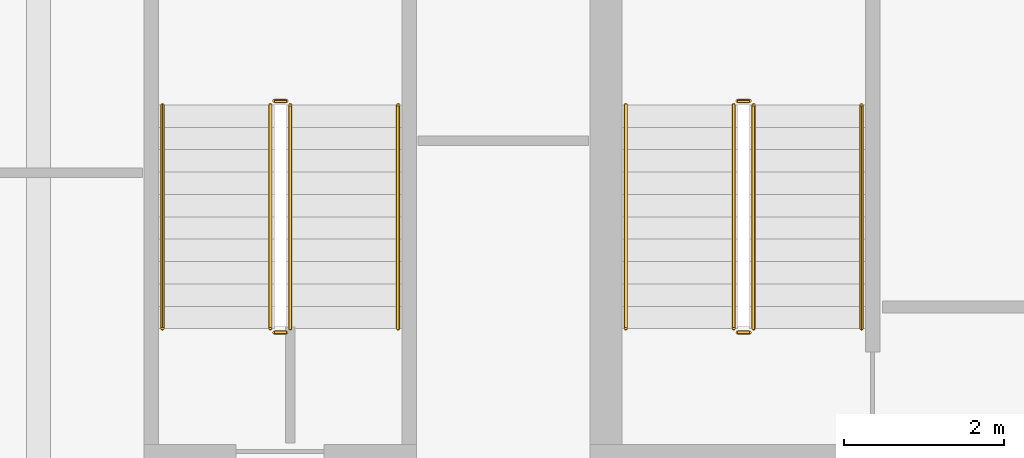
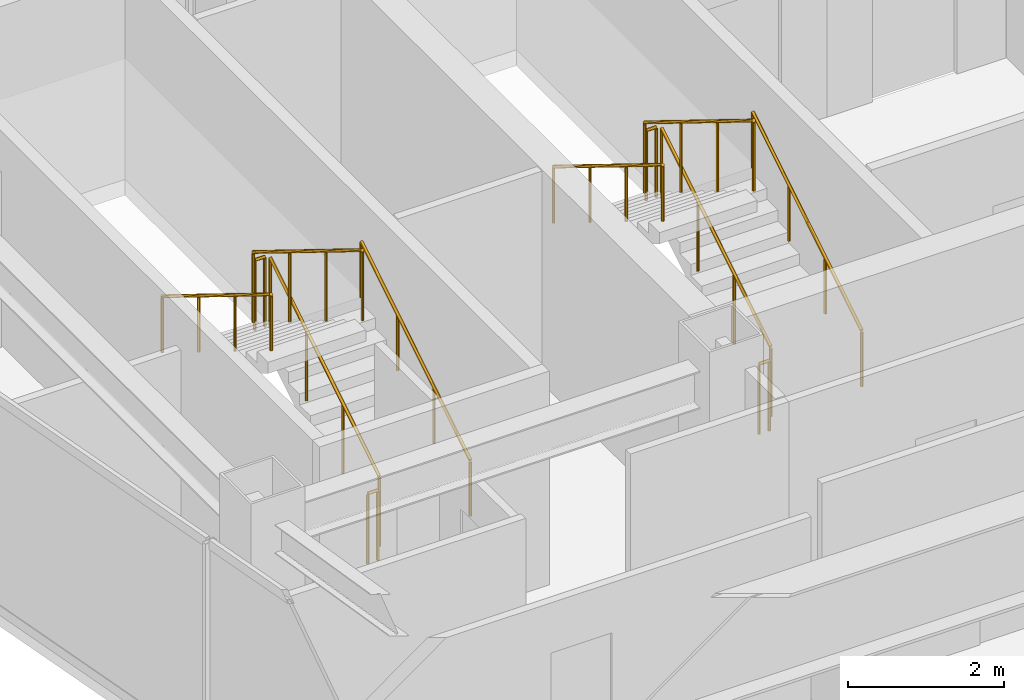
# One storey, part 33 of 35: 12 railings.
"""IFC4 building model written with IfcOpenShell, lengths in metres."""

from ifc_helpers import new_model, si_unit, direction, frame, origin, origin_2d, place, context, subcontext, project, spatial, circle, extrude, material, type_object, element, save


model = new_model("IFC4")

# Units and contexts
model_context = context("Model", 3, precision=1e-05, world=origin(), true_north=direction((0.0, 1.0)))
body_context = subcontext(model_context, "Body", "Model", "MODEL_VIEW")
ifc_project = project(units=[si_unit("LENGTHUNIT", "METRE"), si_unit("AREAUNIT", "SQUARE_METRE"), si_unit("VOLUMEUNIT", "CUBIC_METRE"), si_unit("PLANEANGLEUNIT", "RADIAN"), si_unit("MASSUNIT", "GRAM", prefix="KILO")], contexts=[model_context])

# Site, building, storey
site_placement = place(None, origin())
site = spatial("IfcSite", under=ifc_project, at=site_placement, CompositionType="ELEMENT")
building_placement = place(site_placement, origin())
building = spatial("IfcBuilding", under=site, at=building_placement, Name="Saevonmaru Cultural Tower", CompositionType="ELEMENT")
storey_placement = place(building_placement, frame((0.0, 0.0, 249.60009765625)))
storey = spatial("IfcBuildingStorey", under=building, at=storey_placement, Name="L58", CompositionType="ELEMENT", Elevation=249.60009765625)

# Railings
ifc_material_1 = material(Name="Architectural Painted Steel", Category="steel")
railing_type_1 = type_object("IfcRailingType", Name="RL-STAIR-GUARD", PredefinedType="GUARDRAIL", material=ifc_material_1)
railing_1_placement = place(storey_placement, frame((15.75, 44.85009765625, 0.172607421875)))
element("IfcRailing", 1, at=railing_1_placement, inside=storey, type_object=railing_type_1, Name="L58 ST-1 stair guard 1", PredefinedType="GUARDRAIL", context=body_context, shape_type="SweptSolid", body=[
    extrude(circle(Radius=0.02392578125, at=origin_2d()), frame((0.0, 0.0, 1.09619140625), z_axis=(0.0, 0.851069175582, 0.525053576669), x_axis=(-1.0, 0.0, 0.0)), (0.0, 0.0, 1.0), 3.289794921875),
    extrude(circle(Radius=0.02099609375, at=origin_2d()), origin(), (0.0, 0.0, 1.0), 1.072021484375),
    extrude(circle(Radius=0.02099609375, at=origin_2d()), frame((0.0, 0.933349609375, 0.57568359375)), (0.0, 0.0, 1.0), 1.072021484375),
    extrude(circle(Radius=0.02099609375, at=origin_2d()), frame((0.0, 1.866455078125, 1.151611328125)), (0.0, 0.0, 1.0), 1.072021484375),
    extrude(circle(Radius=0.02099609375, at=origin_2d()), frame((0.0, 2.7998046875, 1.727294921875)), (0.0, 0.0, 1.0), 1.072021484375),
])
railing_2_placement = place(storey_placement, frame((15.699951171875, 47.699951171875, 1.89990234375)))
element("IfcRailing", 2, at=railing_2_placement, inside=storey, type_object=railing_type_1, Name="L58 ST-1 stair guard 2", PredefinedType="GUARDRAIL", context=body_context, shape_type="SweptSolid", body=[
    extrude(circle(Radius=0.02392578125, at=origin_2d()), frame((0.0, 0.0, 1.09619140625), z_axis=(-1.0, 0.0, 0.0), x_axis=(0.0, -1.0, 0.0)), (0.0, 0.0, 1.0), 0.14990234375),
    extrude(circle(Radius=0.02099609375, at=origin_2d()), origin(), (0.0, 0.0, 1.0), 1.072021484375),
    extrude(circle(Radius=0.02099609375, at=origin_2d()), frame((-0.14990234375, 0.0, 0.0)), (0.0, 0.0, 1.0), 1.072021484375),
])
railing_3_placement = place(storey_placement, frame((15.5, 47.64990234375, 2.072509765625)))
element("IfcRailing", 3, at=railing_3_placement, inside=storey, type_object=railing_type_1, Name="L58 ST-1 stair guard 3", PredefinedType="GUARDRAIL", context=body_context, shape_type="SweptSolid", body=[
    extrude(circle(Radius=0.02392578125, at=origin_2d()), frame((0.0, 0.0, 1.09619140625), z_axis=(0.0, -0.851069175582, 0.525053576669), x_axis=(1.0, 0.0, 0.0)), (0.0, 0.0, 1.0), 3.289794921875),
    extrude(circle(Radius=0.02099609375, at=origin_2d()), origin(), (0.0, 0.0, 1.0), 1.072021484375),
    extrude(circle(Radius=0.02099609375, at=origin_2d()), frame((0.0, -0.933349609375, 0.57568359375)), (0.0, 0.0, 1.0), 1.072021484375),
    extrude(circle(Radius=0.02099609375, at=origin_2d()), frame((0.0, -1.866455078125, 1.151611328125)), (0.0, 0.0, 1.0), 1.072021484375),
    extrude(circle(Radius=0.02099609375, at=origin_2d()), frame((0.0, -2.7998046875, 1.727294921875)), (0.0, 0.0, 1.0), 1.072021484375),
])
railing_4_placement = place(storey_placement, frame((15.699951171875, 44.800048828125, 0.0)))
element("IfcRailing", 4, at=railing_4_placement, inside=storey, type_object=railing_type_1, Name="L58 ST-1 stair guard 4", PredefinedType="GUARDRAIL", context=body_context, shape_type="SweptSolid", body=[
    extrude(circle(Radius=0.02392578125, at=origin_2d()), frame((0.0, 0.0, 1.09619140625), z_axis=(-1.0, 0.0, 0.0), x_axis=(0.0, -1.0, 0.0)), (0.0, 0.0, 1.0), 0.14990234375),
    extrude(circle(Radius=0.02099609375, at=origin_2d()), origin(), (0.0, 0.0, 1.0), 1.072021484375),
    extrude(circle(Radius=0.02099609375, at=origin_2d()), frame((-0.14990234375, 0.0, 0.0)), (0.0, 0.0, 1.0), 1.072021484375),
])
railing_5_placement = place(storey_placement, frame((9.949951171875, 44.85009765625, 0.172607421875)))
element("IfcRailing", 5, at=railing_5_placement, inside=storey, type_object=railing_type_1, Name="L58 ST-3 stair guard 1", PredefinedType="GUARDRAIL", context=body_context, shape_type="SweptSolid", body=[
    extrude(circle(Radius=0.02392578125, at=origin_2d()), frame((0.0, 0.0, 1.09619140625), z_axis=(0.0, 0.851069175582, 0.525053576669), x_axis=(-1.0, 0.0, 0.0)), (0.0, 0.0, 1.0), 3.289794921875),
    extrude(circle(Radius=0.02099609375, at=origin_2d()), origin(), (0.0, 0.0, 1.0), 1.072021484375),
    extrude(circle(Radius=0.02099609375, at=origin_2d()), frame((0.0, 0.933349609375, 0.57568359375)), (0.0, 0.0, 1.0), 1.072021484375),
    extrude(circle(Radius=0.02099609375, at=origin_2d()), frame((0.0, 1.866455078125, 1.151611328125)), (0.0, 0.0, 1.0), 1.072021484375),
    extrude(circle(Radius=0.02099609375, at=origin_2d()), frame((0.0, 2.7998046875, 1.727294921875)), (0.0, 0.0, 1.0), 1.072021484375),
])
railing_6_placement = place(storey_placement, frame((9.89990234375, 47.699951171875, 1.89990234375)))
element("IfcRailing", 6, at=railing_6_placement, inside=storey, type_object=railing_type_1, Name="L58 ST-3 stair guard 2", PredefinedType="GUARDRAIL", context=body_context, shape_type="SweptSolid", body=[
    extrude(circle(Radius=0.02392578125, at=origin_2d()), frame((0.0, 0.0, 1.09619140625), z_axis=(-1.0, 0.0, 0.0), x_axis=(0.0, -1.0, 0.0)), (0.0, 0.0, 1.0), 0.14990234375),
    extrude(circle(Radius=0.02099609375, at=origin_2d()), origin(), (0.0, 0.0, 1.0), 1.072021484375),
    extrude(circle(Radius=0.02099609375, at=origin_2d()), frame((-0.14990234375, 0.0, 0.0)), (0.0, 0.0, 1.0), 1.072021484375),
])
railing_7_placement = place(storey_placement, frame((9.699951171875, 47.64990234375, 2.072509765625)))
element("IfcRailing", 7, at=railing_7_placement, inside=storey, type_object=railing_type_1, Name="L58 ST-3 stair guard 3", PredefinedType="GUARDRAIL", context=body_context, shape_type="SweptSolid", body=[
    extrude(circle(Radius=0.02392578125, at=origin_2d()), frame((0.0, 0.0, 1.09619140625), z_axis=(0.0, -0.851069175582, 0.525053576669), x_axis=(1.0, 0.0, 0.0)), (0.0, 0.0, 1.0), 3.289794921875),
    extrude(circle(Radius=0.02099609375, at=origin_2d()), origin(), (0.0, 0.0, 1.0), 1.072021484375),
    extrude(circle(Radius=0.02099609375, at=origin_2d()), frame((0.0, -0.933349609375, 0.57568359375)), (0.0, 0.0, 1.0), 1.072021484375),
    extrude(circle(Radius=0.02099609375, at=origin_2d()), frame((0.0, -1.866455078125, 1.151611328125)), (0.0, 0.0, 1.0), 1.072021484375),
    extrude(circle(Radius=0.02099609375, at=origin_2d()), frame((0.0, -2.7998046875, 1.727294921875)), (0.0, 0.0, 1.0), 1.072021484375),
])
railing_8_placement = place(storey_placement, frame((9.89990234375, 44.800048828125, 0.0)))
element("IfcRailing", 8, at=railing_8_placement, inside=storey, type_object=railing_type_1, Name="L58 ST-3 stair guard 4", PredefinedType="GUARDRAIL", context=body_context, shape_type="SweptSolid", body=[
    extrude(circle(Radius=0.02392578125, at=origin_2d()), frame((0.0, 0.0, 1.09619140625), z_axis=(-1.0, 0.0, 0.0), x_axis=(0.0, -1.0, 0.0)), (0.0, 0.0, 1.0), 0.14990234375),
    extrude(circle(Radius=0.02099609375, at=origin_2d()), origin(), (0.0, 0.0, 1.0), 1.072021484375),
    extrude(circle(Radius=0.02099609375, at=origin_2d()), frame((-0.14990234375, 0.0, 0.0)), (0.0, 0.0, 1.0), 1.072021484375),
])
ifc_material_2 = material(Name="Satin Bronze Anodised Aluminium", Category="aluminium")
railing_type_2 = type_object("IfcRailingType", Name="RL-STAIR-HANDRAIL", PredefinedType="HANDRAIL", material=ifc_material_2)
railing_9_placement = place(storey_placement, frame((17.10009765625, 44.85009765625, 0.172607421875)))
element("IfcRailing", 9, at=railing_9_placement, inside=storey, type_object=railing_type_2, Name="L58 ST-1 stair handrail 1", PredefinedType="HANDRAIL", context=body_context, shape_type="SweptSolid", body=[
    extrude(circle(Radius=0.02392578125, at=origin_2d()), frame((0.0, 0.0, 0.8759765625), z_axis=(0.0, 0.851069175582, 0.525053576669), x_axis=(-1.0, 0.0, 0.0)), (0.0, 0.0, 1.0), 3.289794921875),
    extrude(circle(Radius=0.02099609375, at=origin_2d()), origin(), (0.0, 0.0, 1.0), 0.851806640625),
    extrude(circle(Radius=0.02099609375, at=origin_2d()), frame((0.0, 0.933349609375, 0.57568359375)), (0.0, 0.0, 1.0), 0.851806640625),
    extrude(circle(Radius=0.02099609375, at=origin_2d()), frame((0.0, 1.866455078125, 1.151611328125)), (0.0, 0.0, 1.0), 0.851806640625),
    extrude(circle(Radius=0.02099609375, at=origin_2d()), frame((0.0, 2.7998046875, 1.727294921875)), (0.0, 0.0, 1.0), 0.851806640625),
])
railing_10_placement = place(storey_placement, frame((14.14990234375, 47.64990234375, 2.072509765625)))
element("IfcRailing", 10, at=railing_10_placement, inside=storey, type_object=railing_type_2, Name="L58 ST-1 stair handrail 2", PredefinedType="HANDRAIL", context=body_context, shape_type="SweptSolid", body=[
    extrude(circle(Radius=0.02392578125, at=origin_2d()), frame((0.0, 0.0, 0.8759765625), z_axis=(0.0, -0.851069175582, 0.525053576669), x_axis=(1.0, 0.0, 0.0)), (0.0, 0.0, 1.0), 3.289794921875),
    extrude(circle(Radius=0.02099609375, at=origin_2d()), origin(), (0.0, 0.0, 1.0), 0.851806640625),
    extrude(circle(Radius=0.02099609375, at=origin_2d()), frame((0.0, -0.933349609375, 0.57568359375)), (0.0, 0.0, 1.0), 0.851806640625),
    extrude(circle(Radius=0.02099609375, at=origin_2d()), frame((0.0, -1.866455078125, 1.151611328125)), (0.0, 0.0, 1.0), 0.851806640625),
    extrude(circle(Radius=0.02099609375, at=origin_2d()), frame((0.0, -2.7998046875, 1.727294921875)), (0.0, 0.0, 1.0), 0.851806640625),
])
railing_11_placement = place(storey_placement, frame((11.300048828125, 44.85009765625, 0.172607421875)))
element("IfcRailing", 11, at=railing_11_placement, inside=storey, type_object=railing_type_2, Name="L58 ST-3 stair handrail 1", PredefinedType="HANDRAIL", context=body_context, shape_type="SweptSolid", body=[
    extrude(circle(Radius=0.02392578125, at=origin_2d()), frame((0.0, 0.0, 0.8759765625), z_axis=(0.0, 0.851069175582, 0.525053576669), x_axis=(-1.0, 0.0, 0.0)), (0.0, 0.0, 1.0), 3.289794921875),
    extrude(circle(Radius=0.02099609375, at=origin_2d()), origin(), (0.0, 0.0, 1.0), 0.851806640625),
    extrude(circle(Radius=0.02099609375, at=origin_2d()), frame((0.0, 0.933349609375, 0.57568359375)), (0.0, 0.0, 1.0), 0.851806640625),
    extrude(circle(Radius=0.02099609375, at=origin_2d()), frame((0.0, 1.866455078125, 1.151611328125)), (0.0, 0.0, 1.0), 0.851806640625),
    extrude(circle(Radius=0.02099609375, at=origin_2d()), frame((0.0, 2.7998046875, 1.727294921875)), (0.0, 0.0, 1.0), 0.851806640625),
])
railing_12_placement = place(storey_placement, frame((8.35009765625, 47.64990234375, 2.072509765625)))
element("IfcRailing", 12, at=railing_12_placement, inside=storey, type_object=railing_type_2, Name="L58 ST-3 stair handrail 2", PredefinedType="HANDRAIL", context=body_context, shape_type="SweptSolid", body=[
    extrude(circle(Radius=0.02392578125, at=origin_2d()), frame((0.0, 0.0, 0.8759765625), z_axis=(0.0, -0.851069175582, 0.525053576669), x_axis=(1.0, 0.0, 0.0)), (0.0, 0.0, 1.0), 3.289794921875),
    extrude(circle(Radius=0.02099609375, at=origin_2d()), origin(), (0.0, 0.0, 1.0), 0.851806640625),
    extrude(circle(Radius=0.02099609375, at=origin_2d()), frame((0.0, -0.933349609375, 0.57568359375)), (0.0, 0.0, 1.0), 0.851806640625),
    extrude(circle(Radius=0.02099609375, at=origin_2d()), frame((0.0, -1.866455078125, 1.151611328125)), (0.0, 0.0, 1.0), 0.851806640625),
    extrude(circle(Radius=0.02099609375, at=origin_2d()), frame((0.0, -2.7998046875, 1.727294921875)), (0.0, 0.0, 1.0), 0.851806640625),
])

save(model, "model.ifc")
